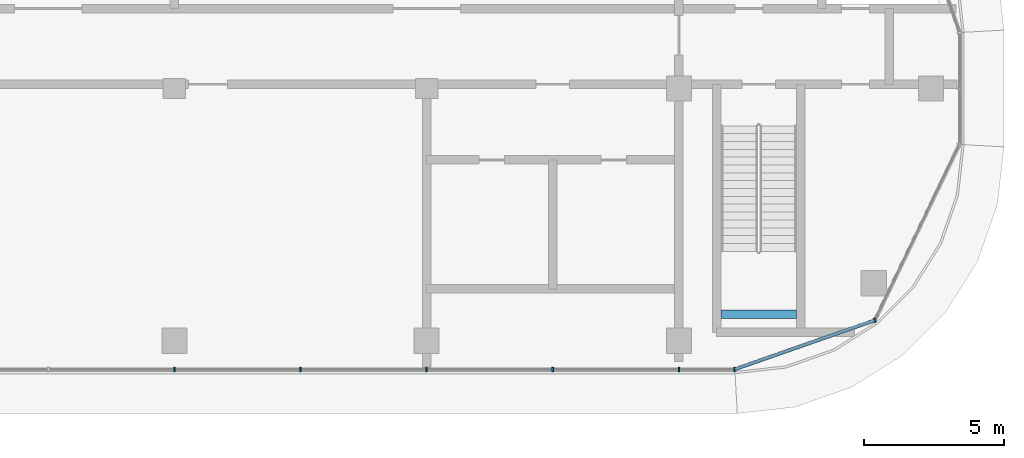
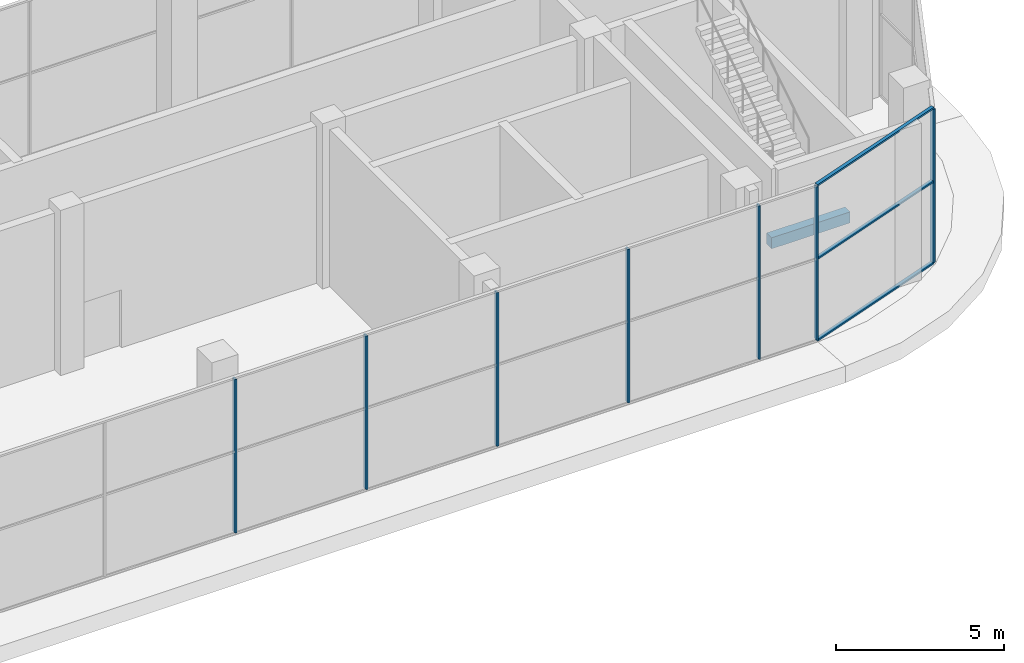
# One storey, part 7 of 23: 10 members, 1 beam, 2 elements without a shape of their own.
"""IFC4 building model written with IfcOpenShell, lengths in metres."""

from ifc_helpers import new_model, si_unit, direction, frame, origin, origin_2d, place, context, subcontext, project, spatial, rectangle, extrude, material, material_profile, profile_set, type_object, element, aggregate, save


model = new_model("IFC4")

# Units and contexts
model_context = context("Model", 3, precision=1e-05, world=origin(), true_north=direction((0.0, 1.0)))
body_context = subcontext(model_context, "Body", "Model", "MODEL_VIEW")
ifc_project = project(units=[si_unit("LENGTHUNIT", "METRE"), si_unit("AREAUNIT", "SQUARE_METRE"), si_unit("VOLUMEUNIT", "CUBIC_METRE"), si_unit("PLANEANGLEUNIT", "RADIAN"), si_unit("MASSUNIT", "GRAM", prefix="KILO")], contexts=[model_context])

# Site, building, storey
site_placement = place(None, origin())
site = spatial("IfcSite", under=ifc_project, at=site_placement, CompositionType="ELEMENT")
building_placement = place(site_placement, origin())
building = spatial("IfcBuilding", under=site, at=building_placement, Name="Ogive Portal Towers", CompositionType="ELEMENT")
storey_placement = place(building_placement, frame((0.0, 0.0, 260.89990234375)))
storey = spatial("IfcBuildingStorey", under=building, at=storey_placement, Name="L64", CompositionType="ELEMENT", Elevation=260.89990234375)

# Beam
ifc_material_1 = material(Name="Concrete C40/50", Category="concrete")
ifc_material_profile_1 = material_profile(ifc_material_1, rectangle(XDim=0.300048828125, YDim=0.39990234375, at=origin_2d()), Name="RC 300x400")
ifc_profile_set_1 = profile_set([ifc_material_profile_1], Name="Concrete C40/50")
beam_type = type_object("IfcBeamType", Name="BEAM RC 300x400", PredefinedType="BEAM", material=ifc_profile_set_1)
beam_placement = place(storey_placement, frame((87.0, 22.449951171875, 2.60009765625), z_axis=(1.0, 0.0, 0.0), x_axis=(0.0, 1.0, 0.0)))
element("IfcBeam", 1, at=beam_placement, inside=storey, type_object=beam_type, Name="Landing beam L64", PredefinedType="BEAM", context=body_context, shape_type="SweptSolid", body=[
    extrude(rectangle(XDim=0.300048828125, YDim=0.39990234375, at=origin_2d()), origin(), (0.0, 0.0, 1.0), 2.699951171875),
])

# Curtain wall, members
ifc_material_2 = material(Name="Glass, clear low-iron insulated glazing", Category="glass")
curtain_wall_type = type_object("IfcCurtainWallType", Name="CW OBSERVATION WALL", PredefinedType="NOTDEFINED", material=ifc_material_2)
curtain_wall_1_placement = place(storey_placement, origin())
curtain_wall_1 = element("IfcCurtainWall", 2, at=curtain_wall_1_placement, inside=storey, type_object=curtain_wall_type, Name="A:L64:f05:cw0", PredefinedType="NOTDEFINED")
ifc_material_3 = material(Name="Aluminium 6063 anodised", Category="aluminium")
ifc_material_profile_2 = material_profile(ifc_material_3, rectangle(XDim=0.159912109375, YDim=0.06005859375, at=origin_2d()), Name="AL 60x160")
ifc_profile_set_2 = profile_set([ifc_material_profile_2], Name="Aluminium 6063 anodised")
member_type_1 = type_object("IfcMemberType", Name="CW MULLION 60x160", PredefinedType="MULLION", material=ifc_profile_set_2)
member_1_placement = place(storey_placement, frame((67.5, 20.47998046875, 0.06005859375), z_axis=(0.0, 0.0, 1.0), x_axis=(0.0, 1.0, 0.0)))
member_1 = element("IfcMember", 3, at=member_1_placement, type_object=member_type_1, Name="mullion", PredefinedType="MULLION", context=body_context, shape_type="SweptSolid", body=[
    extrude(rectangle(XDim=0.159912109375, YDim=0.06005859375, at=origin_2d()), origin(), (0.0, 0.0, 1.0), 5.580078125),
])
member_2_placement = place(storey_placement, frame((72.0, 20.47998046875, 0.06005859375), z_axis=(0.0, 0.0, 1.0), x_axis=(0.0, 1.0, 0.0)))
member_2 = element("IfcMember", 4, at=member_2_placement, type_object=member_type_1, Name="mullion", PredefinedType="MULLION", context=body_context, shape_type="SweptSolid", body=[
    extrude(rectangle(XDim=0.159912109375, YDim=0.06005859375, at=origin_2d()), origin(), (0.0, 0.0, 1.0), 5.580078125),
])
member_3_placement = place(storey_placement, frame((76.5, 20.47998046875, 0.06005859375), z_axis=(0.0, 0.0, 1.0), x_axis=(0.0, 1.0, 0.0)))
member_3 = element("IfcMember", 5, at=member_3_placement, type_object=member_type_1, Name="mullion", PredefinedType="MULLION", context=body_context, shape_type="SweptSolid", body=[
    extrude(rectangle(XDim=0.159912109375, YDim=0.06005859375, at=origin_2d()), origin(), (0.0, 0.0, 1.0), 5.580078125),
])
member_4_placement = place(storey_placement, frame((81.0, 20.47998046875, 0.06005859375), z_axis=(0.0, 0.0, 1.0), x_axis=(0.0, 1.0, 0.0)))
member_4 = element("IfcMember", 6, at=member_4_placement, type_object=member_type_1, Name="mullion", PredefinedType="MULLION", context=body_context, shape_type="SweptSolid", body=[
    extrude(rectangle(XDim=0.159912109375, YDim=0.06005859375, at=origin_2d()), origin(), (0.0, 0.0, 1.0), 5.580078125),
])
member_5_placement = place(storey_placement, frame((85.5, 20.47998046875, 0.06005859375), z_axis=(0.0, 0.0, 1.0), x_axis=(0.0, 1.0, 0.0)))
member_5 = element("IfcMember", 7, at=member_5_placement, type_object=member_type_1, Name="mullion", PredefinedType="MULLION", context=body_context, shape_type="SweptSolid", body=[
    extrude(rectangle(XDim=0.159912109375, YDim=0.06005859375, at=origin_2d()), origin(), (0.0, 0.0, 1.0), 5.580078125),
])
member_6_placement = place(storey_placement, frame((87.486328125, 20.47998046875, 0.06005859375), z_axis=(0.0, 0.0, 1.0), x_axis=(0.0, 1.0, 0.0)))
member_6 = element("IfcMember", 8, at=member_6_placement, type_object=member_type_1, Name="mullion", PredefinedType="MULLION", context=body_context, shape_type="SweptSolid", body=[
    extrude(rectangle(XDim=0.159912109375, YDim=0.06005859375, at=origin_2d()), origin(), (0.0, 0.0, 1.0), 5.580078125),
])
aggregate(curtain_wall_1, [member_1, member_2, member_3, member_4, member_5, member_6])

curtain_wall_2_placement = place(storey_placement, origin())
curtain_wall_2 = element("IfcCurtainWall", 9, at=curtain_wall_2_placement, inside=storey, type_object=curtain_wall_type, Name="A:L64:f06:cwa", PredefinedType="NOTDEFINED")
member_7_placement = place(storey_placement, frame((92.49267578125, 22.231689453125, 0.06005859375), z_axis=(0.0, 0.0, 1.0), x_axis=(-0.33027906196, 0.943883330307, 0.0)))
member_7 = element("IfcMember", 10, at=member_7_placement, type_object=member_type_1, Name="mullion", PredefinedType="MULLION", context=body_context, shape_type="SweptSolid", body=[
    extrude(rectangle(XDim=0.159912109375, YDim=0.06005859375, at=origin_2d()), origin(), (0.0, 0.0, 1.0), 5.580078125),
])
ifc_material_profile_3 = material_profile(ifc_material_3, rectangle(XDim=0.1201171875, YDim=0.06005859375, at=origin_2d()), Name="AL 120x60")
ifc_profile_set_3 = profile_set([ifc_material_profile_3], Name="Aluminium 6063 anodised")
member_type_2 = type_object("IfcMemberType", Name="CW TRANSOM 60x120", PredefinedType="USERDEFINED", material=ifc_profile_set_3)
member_8_placement = place(storey_placement, frame((87.486328125, 20.47998046875, 0.030029296875), z_axis=(0.943888492263, 0.330264309567, 0.0), x_axis=(-0.330264309567, 0.943888492263, 0.0)))
member_8 = element("IfcMember", 11, at=member_8_placement, type_object=member_type_2, Name="transom", ObjectType="TRANSOM", PredefinedType="USERDEFINED", context=body_context, shape_type="SweptSolid", body=[
    extrude(rectangle(XDim=0.1201171875, YDim=0.06005859375, at=origin_2d()), origin(), (0.0, 0.0, 1.0), 5.303955078125),
])
member_9_placement = place(storey_placement, frame((87.486328125, 20.47998046875, 3.0), z_axis=(0.943888492263, 0.330264309567, 0.0), x_axis=(-0.330264309567, 0.943888492263, 0.0)))
member_9 = element("IfcMember", 12, at=member_9_placement, type_object=member_type_2, Name="transom", ObjectType="TRANSOM", PredefinedType="USERDEFINED", context=body_context, shape_type="SweptSolid", body=[
    extrude(rectangle(XDim=0.1201171875, YDim=0.06005859375, at=origin_2d()), origin(), (0.0, 0.0, 1.0), 5.303955078125),
])
member_10_placement = place(storey_placement, frame((87.486328125, 20.47998046875, 5.670166015625), z_axis=(0.943888492263, 0.330264309567, 0.0), x_axis=(-0.330264309567, 0.943888492263, 0.0)))
member_10 = element("IfcMember", 13, at=member_10_placement, type_object=member_type_2, Name="transom", ObjectType="TRANSOM", PredefinedType="USERDEFINED", context=body_context, shape_type="SweptSolid", body=[
    extrude(rectangle(XDim=0.1201171875, YDim=0.06005859375, at=origin_2d()), origin(), (0.0, 0.0, 1.0), 5.303955078125),
])
aggregate(curtain_wall_2, [member_8, member_9, member_10, member_7])

save(model, "model.ifc")
